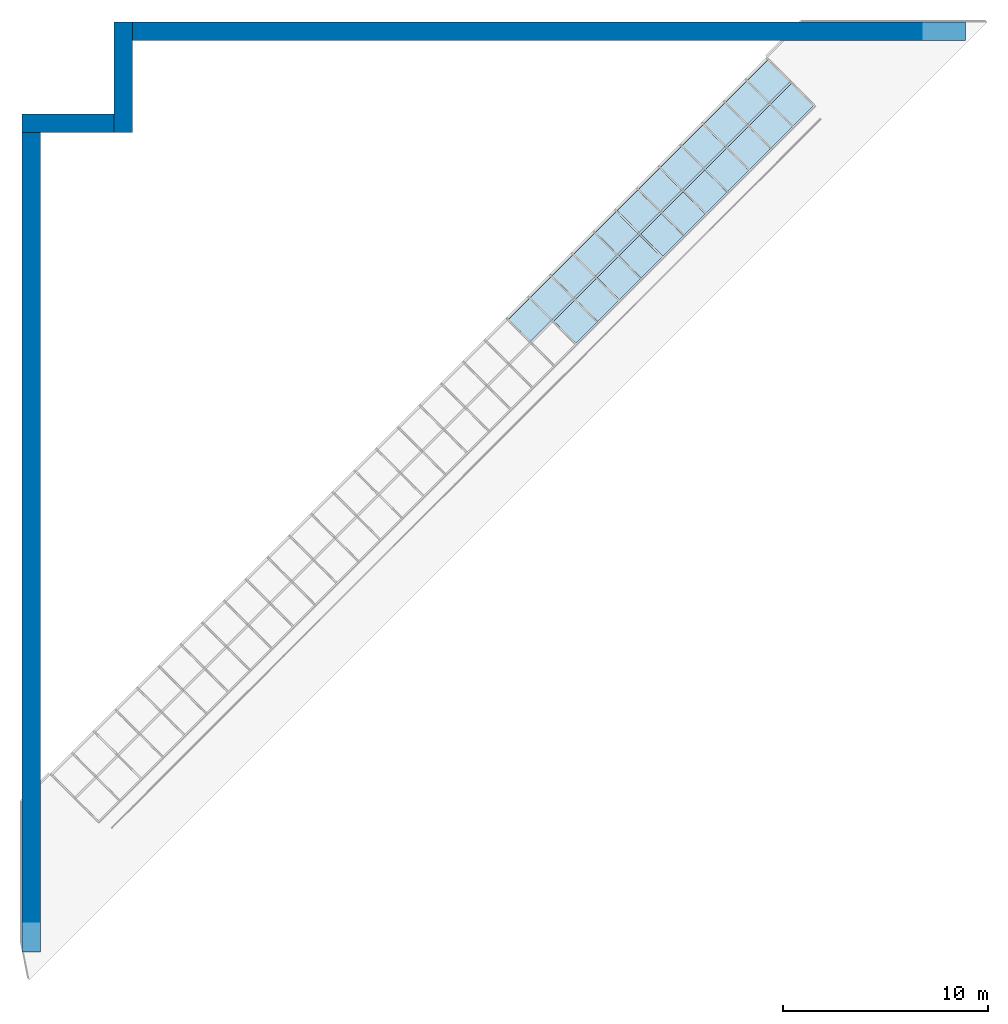
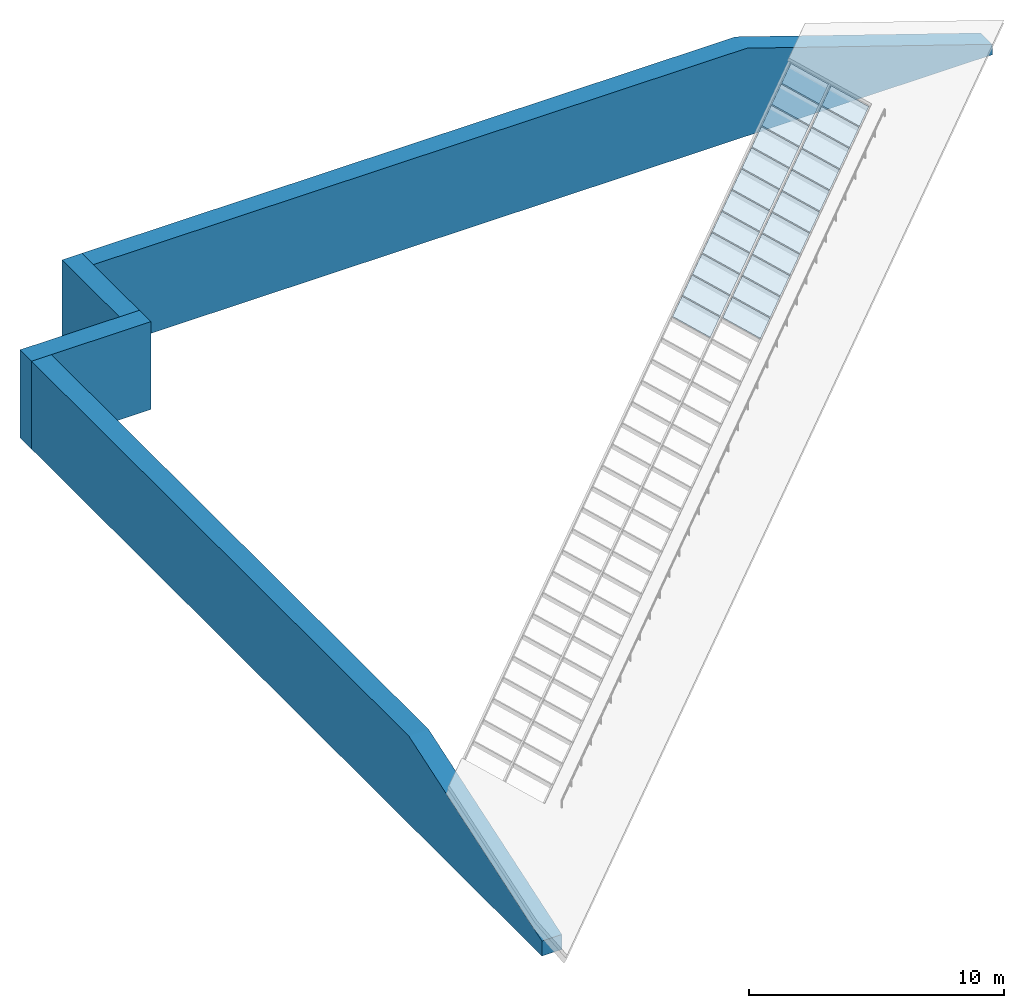
# One storey, part 3 of 4: 23 plates, 4 walls, 1 element without a shape of its own.
"""IFC4 building model written with IfcOpenShell, lengths in metres."""

from ifc_helpers import new_model, si_unit, direction, frame, origin, place, context, subcontext, project, spatial, polyline, outline, extrude, material, layer, layer_set, type_object, element, aggregate, save


model = new_model("IFC4")

# Units and contexts
model_context = context("Model", 3, precision=1e-05, world=origin(), true_north=direction((0.0, 1.0)))
body_context = subcontext(model_context, "Body", "Model", "MODEL_VIEW")
ifc_project = project(units=[si_unit("LENGTHUNIT", "METRE"), si_unit("AREAUNIT", "SQUARE_METRE"), si_unit("VOLUMEUNIT", "CUBIC_METRE"), si_unit("PLANEANGLEUNIT", "RADIAN"), si_unit("MASSUNIT", "GRAM", prefix="KILO")], contexts=[model_context])

# Site, building, storey
site_placement = place(None, origin())
site = spatial("IfcSite", under=ifc_project, at=site_placement, CompositionType="ELEMENT")
building_placement = place(site_placement, origin())
building = spatial("IfcBuilding", under=site, at=building_placement, Name="Hunhe Ridgeline Campus", CompositionType="ELEMENT")
storey_placement = place(building_placement, frame((0.0, 0.0, 319.800048828125)))
storey = spatial("IfcBuildingStorey", under=building, at=storey_placement, Name="L82 Crown", CompositionType="ELEMENT", Elevation=319.800048828125)

# Curtain wall, plates
ifc_material_1 = material(Name="Aluminium 6063", Category="aluminium")
curtain_wall_type = type_object("IfcCurtainWallType", Name="Curtain wall CW-6", PredefinedType="NOTDEFINED", material=ifc_material_1)
curtain_wall_placement = place(storey_placement, origin())
curtain_wall = element("IfcCurtainWall", 1, at=curtain_wall_placement, inside=storey, type_object=curtain_wall_type, Name="Rooflight 5", PredefinedType="NOTDEFINED")
ifc_material_2 = material(Name="Low-e laminated glass", Category="glass")
ifc_layer_1 = layer(ifc_material_2, 0.0400390625)
ifc_layer_set_1 = layer_set([ifc_layer_1], Name="Rooflight glass panel 40 low-e laminated")
plate_type = type_object("IfcPlateType", Name="Rooflight glass panel 40 low-e laminated", PredefinedType="CURTAIN_PANEL", material=ifc_layer_set_1)
plate_1_placement = place(storey_placement, frame((38.640625, 94.903564453125, 2.061767578125), z_axis=(0.301548655301, -0.301474033015, 0.904534032474), x_axis=(-0.639602149067, 0.639602149067, 0.426401432711)))
plate_1 = element("IfcPlate", 2, at=plate_1_placement, type_object=plate_type, Name="Rooflight panel 1.1", PredefinedType="CURTAIN_PANEL", context=body_context, shape_type="SweptSolid", body=[
    extrude(outline(polyline([(0.0, 0.0), (1.6936340109323371, -1.1218781979793757e-16), (1.6934778580639125, 1.3950512467586067), (-0.00015615286842451948, 1.395051246758607), (0.0, 0.0)])), origin(), (0.0, 0.0, -1.0), 0.0400390625),
])
plate_2_placement = place(storey_placement, frame((37.604736328125, 93.867431640625, 2.061767578125), z_axis=(0.301483547543, -0.301483547543, 0.904552564046), x_axis=(-0.63954317933, 0.639687317978, 0.426362119554)))
plate_2 = element("IfcPlate", 3, at=plate_2_placement, type_object=plate_type, Name="Rooflight panel 1.2", PredefinedType="CURTAIN_PANEL", context=body_context, shape_type="SweptSolid", body=[
    extrude(outline(polyline([(0.0, 0.0), (1.6937901741978365, -3.077778917143226e-17), (1.6936444168056752, 1.4300958361632525), (-0.00014572220206188202, 1.4297505691820445), (0.0, 0.0)])), origin(), (0.0, 0.0, -1.0), 0.0400390625),
])
plate_3_placement = place(storey_placement, frame((36.544189453125, 92.806884765625, 2.061767578125), z_axis=(0.301511344578, -0.301511344578, 0.904534033733), x_axis=(-0.639602149067, 0.639602149067, 0.426401432711)))
plate_3 = element("IfcPlate", 4, at=plate_3_placement, type_object=plate_type, Name="Rooflight panel 1.3", PredefinedType="CURTAIN_PANEL", context=body_context, shape_type="SweptSolid", body=[
    extrude(outline(polyline([(0.0, 0.0), (1.6936340109323371, 0.0), (1.693634010932337, 1.4300958435911524), (0.0, 1.4300958435911524), (0.0, 0.0)])), origin(), (0.0, 0.0, -1.0), 0.0400390625),
])
plate_4_placement = place(storey_placement, frame((35.4833984375, 91.746337890625, 2.061767578125), z_axis=(0.301547745403, -0.301474942954, 0.904534032535), x_axis=(-0.639602149067, 0.639602149067, 0.426401432711)))
plate_4 = element("IfcPlate", 5, at=plate_4_placement, type_object=plate_type, Name="Rooflight panel 1.4", PredefinedType="CURTAIN_PANEL", context=body_context, shape_type="SweptSolid", body=[
    extrude(outline(polyline([(0.0, 0.0), (1.6936340109323371, 3.6469850576981155e-17), (1.6934778580639125, 1.4299232119943703), (-0.00015615286842451948, 1.4299232119943701), (0.0, 0.0)])), origin(), (0.0, 0.0, -1.0), 0.0400390625),
])
plate_5_placement = place(storey_placement, frame((34.4228515625, 90.685546875, 2.061767578125), z_axis=(0.301511344578, -0.301511344578, 0.904534033733), x_axis=(-0.639602149067, 0.639602149067, 0.426401432711)))
plate_5 = element("IfcPlate", 6, at=plate_5_placement, type_object=plate_type, Name="Rooflight panel 1.5", PredefinedType="CURTAIN_PANEL", context=body_context, shape_type="SweptSolid", body=[
    extrude(outline(polyline([(0.0, 0.0), (1.6936340109323371, 0.0), (1.693634010932337, 1.4300958435911524), (0.0, 1.4300958435911524), (0.0, 0.0)])), origin(), (0.0, 0.0, -1.0), 0.0400390625),
])
plate_6_placement = place(storey_placement, frame((33.362060546875, 89.625, 2.061767578125), z_axis=(0.301547745403, -0.301474942954, 0.904534032535), x_axis=(-0.639602149067, 0.639602149067, 0.426401432711)))
plate_6 = element("IfcPlate", 7, at=plate_6_placement, type_object=plate_type, Name="Rooflight panel 1.6", PredefinedType="CURTAIN_PANEL", context=body_context, shape_type="SweptSolid", body=[
    extrude(outline(polyline([(0.0, 0.0), (1.6936340109323371, 3.6469850576981155e-17), (1.6934778580639125, 1.4299232119943703), (-0.00015615286842451948, 1.4299232119943701), (0.0, 0.0)])), origin(), (0.0, 0.0, -1.0), 0.0400390625),
])
plate_7_placement = place(storey_placement, frame((32.301513671875, 88.564208984375, 2.061767578125), z_axis=(0.301479245877, -0.301515643227, 0.90454329979), x_axis=(-0.639608700975, 0.639608701766, 0.426381775248)))
plate_7 = element("IfcPlate", 8, at=plate_7_placement, type_object=plate_type, Name="Rooflight panel 1.7", PredefinedType="CURTAIN_PANEL", context=body_context, shape_type="SweptSolid", body=[
    extrude(outline(polyline([(0.0, 0.0), (1.6936340105324015, -2.110128478199913e-17), (1.6937901642007342, 1.4299232115205895), (-7.998715023660452e-10, 1.4300958431175164), (0.0, 0.0)])), origin(), (0.0, 0.0, -1.0), 0.0400390625),
])
plate_8_placement = place(storey_placement, frame((31.240966796875, 87.503662109375, 2.061767578125), z_axis=(0.301515643227, -0.301479245877, 0.90454329979), x_axis=(-0.639680766185, 0.639536628329, 0.426381775406)))
plate_8 = element("IfcPlate", 9, at=plate_8_placement, type_object=plate_type, Name="Rooflight panel 1.8", PredefinedType="CURTAIN_PANEL", context=body_context, shape_type="SweptSolid", body=[
    extrude(outline(polyline([(0.0, 0.0), (1.6937901737979375, 9.269928574751063e-17), (1.6937797583282785, 1.4299232200089778), (0.0001457565923979054, 1.430095835689698), (0.0, 0.0)])), origin(), (0.0, 0.0, -1.0), 0.0400390625),
])
plate_9_placement = place(storey_placement, frame((30.18017578125, 86.44287109375, 2.061767578125), z_axis=(0.301474942954, -0.301547745403, 0.904534032535), x_axis=(-0.639602149067, 0.639602149067, 0.426401432711)))
plate_9 = element("IfcPlate", 10, at=plate_9_placement, type_object=plate_type, Name="Rooflight panel 1.9", PredefinedType="CURTAIN_PANEL", context=body_context, shape_type="SweptSolid", body=[
    extrude(outline(polyline([(0.0, 0.0), (1.6936340109323371, -3.6469850576981155e-17), (1.6937901638007615, 1.4299232119943701), (0.00015615286842451948, 1.4299232119943701), (0.0, 0.0)])), origin(), (0.0, 0.0, -1.0), 0.0400390625),
])
plate_10_placement = place(storey_placement, frame((29.11962890625, 85.38232421875, 2.061767578125), z_axis=(0.301511344578, -0.301511344578, 0.904534033733), x_axis=(-0.639602149067, 0.639602149067, 0.426401432711)))
plate_10 = element("IfcPlate", 11, at=plate_10_placement, type_object=plate_type, Name="Rooflight panel 1.10", PredefinedType="CURTAIN_PANEL", context=body_context, shape_type="SweptSolid", body=[
    extrude(outline(polyline([(0.0, 0.0), (1.6936340109323371, 0.0), (1.693634010932337, 1.4300958435911524), (0.0, 1.4300958435911524), (0.0, 0.0)])), origin(), (0.0, 0.0, -1.0), 0.0400390625),
])
plate_11_placement = place(storey_placement, frame((28.058837890625, 84.321533203125, 2.061767578125), z_axis=(0.301474942954, -0.301547745403, 0.904534032535), x_axis=(-0.639602149067, 0.639602149067, 0.426401432711)))
plate_11 = element("IfcPlate", 12, at=plate_11_placement, type_object=plate_type, Name="Rooflight panel 1.11", PredefinedType="CURTAIN_PANEL", context=body_context, shape_type="SweptSolid", body=[
    extrude(outline(polyline([(0.0, 0.0), (1.6936340109323371, -3.6469850576981155e-17), (1.6937901638007615, 1.4299232119943701), (0.00015615286842451948, 1.4299232119943701), (0.0, 0.0)])), origin(), (0.0, 0.0, -1.0), 0.0400390625),
])
plate_12_placement = place(storey_placement, frame((37.48681640625, 96.057373046875, 2.8310546875), z_axis=(0.301557412944, -0.301632055868, 0.904478429578), x_axis=(-0.639562831882, 0.639562831882, 0.426519364332)))
plate_12 = element("IfcPlate", 13, at=plate_12_placement, type_object=plate_type, Name="Rooflight panel 2.1", PredefinedType="CURTAIN_PANEL", context=body_context, shape_type="SweptSolid", body=[
    extrude(outline(polyline([(0.0, 0.0), (1.6937381272410124, -6.539771979161002e-17), (1.6938942705105149, 1.395051246759681), (0.00015614326950241786, 1.3950512467596812), (0.0, 0.0)])), origin(), (0.0, 0.0, -1.0), 0.0400390625),
])
plate_13_placement = place(storey_placement, frame((36.450927734375, 95.021484375, 2.8310546875), z_axis=(0.301566933522, -0.301566933522, 0.904496970262), x_axis=(-0.639648002808, 0.639503873019, 0.426480045135)))
plate_13 = element("IfcPlate", 14, at=plate_13_placement, type_object=plate_type, Name="Rooflight panel 2.2", PredefinedType="CURTAIN_PANEL", context=body_context, shape_type="SweptSolid", body=[
    extrude(outline(polyline([(0.0, 0.0), (1.6938942809078354, 2.0796352920987582e-17), (1.6940399941538136, 1.4297505691829575), (0.00014574843391479408, 1.4300958361641656), (0.0, 0.0)])), origin(), (0.0, 0.0, -1.0), 0.0400390625),
])
plate_14_placement = place(storey_placement, frame((35.39013671875, 93.9609375, 2.8310546875), z_axis=(0.301594734826, -0.301594734826, 0.904478430837), x_axis=(-0.639562831882, 0.639562831882, 0.426519364332)))
plate_14 = element("IfcPlate", 15, at=plate_14_placement, type_object=plate_type, Name="Rooflight panel 2.3", PredefinedType="CURTAIN_PANEL", context=body_context, shape_type="SweptSolid", body=[
    extrude(outline(polyline([(0.0, 0.0), (1.6937381272410124, 0.0), (1.6937381272410126, 1.4300958435911522), (0.0, 1.4300958435911522), (0.0, 0.0)])), origin(), (0.0, 0.0, -1.0), 0.0400390625),
])
plate_15_placement = place(storey_placement, frame((34.32958984375, 92.900146484375, 2.8310546875), z_axis=(0.301558323134, -0.301631145719, 0.904478429638), x_axis=(-0.639562831882, 0.639562831882, 0.426519364332)))
plate_15 = element("IfcPlate", 16, at=plate_15_placement, type_object=plate_type, Name="Rooflight panel 2.4", PredefinedType="CURTAIN_PANEL", context=body_context, shape_type="SweptSolid", body=[
    extrude(outline(polyline([(0.0, 0.0), (1.6937381272410124, -1.9522415368317114e-16), (1.6938942705105149, 1.4299232119954182), (0.00015614326950241786, 1.4299232119954184), (0.0, 0.0)])), origin(), (0.0, 0.0, -1.0), 0.0400390625),
])
plate_16_placement = place(storey_placement, frame((33.268798828125, 91.839599609375, 2.8310546875), z_axis=(0.301594734826, -0.301594734826, 0.904478430837), x_axis=(-0.639562831882, 0.639562831882, 0.426519364332)))
plate_16 = element("IfcPlate", 17, at=plate_16_placement, type_object=plate_type, Name="Rooflight panel 2.5", PredefinedType="CURTAIN_PANEL", context=body_context, shape_type="SweptSolid", body=[
    extrude(outline(polyline([(0.0, 0.0), (1.6937381272410124, 0.0), (1.6937381272410126, 1.4300958435911522), (0.0, 1.4300958435911522), (0.0, 0.0)])), origin(), (0.0, 0.0, -1.0), 0.0400390625),
])
plate_17_placement = place(storey_placement, frame((32.208251953125, 90.77880859375, 2.8310546875), z_axis=(0.301558323134, -0.301631145719, 0.904478429638), x_axis=(-0.639562831882, 0.639562831882, 0.426519364332)))
plate_17 = element("IfcPlate", 18, at=plate_17_placement, type_object=plate_type, Name="Rooflight panel 2.6", PredefinedType="CURTAIN_PANEL", context=body_context, shape_type="SweptSolid", body=[
    extrude(outline(polyline([(0.0, 0.0), (1.6937381272410124, -1.9522415368317114e-16), (1.6938942705105149, 1.4299232119954182), (0.00015614326950241786, 1.4299232119954184), (0.0, 0.0)])), origin(), (0.0, 0.0, -1.0), 0.0400390625),
])
plate_18_placement = place(storey_placement, frame((31.1474609375, 89.71826171875, 2.8310546875), z_axis=(0.301599036374, -0.301562628957, 0.90448770145), x_axis=(-0.639569387803, 0.639569387012, 0.426499703849)))
plate_18 = element("IfcPlate", 19, at=plate_18_placement, type_object=plate_type, Name="Rooflight panel 2.7", PredefinedType="CURTAIN_PANEL", context=body_context, shape_type="SweptSolid", body=[
    extrude(outline(polyline([(0.0, 0.0), (1.6937381268408798, -1.7556621304329334e-16), (1.6937381276411447, 1.4300958431172541), (-0.00015614406980413165, 1.4299232115213758), (0.0, 0.0)])), origin(), (0.0, 0.0, -1.0), 0.0400390625),
])
plate_19_placement = place(storey_placement, frame((30.0869140625, 88.657470703125, 2.8310546875), z_axis=(0.301562628957, -0.301599036374, 0.90448770145), x_axis=(-0.639497318796, 0.639641447793, 0.426499704007)))
plate_19 = element("IfcPlate", 20, at=plate_19_placement, type_object=plate_type, Name="Rooflight panel 2.8", PredefinedType="CURTAIN_PANEL", context=body_context, shape_type="SweptSolid", body=[
    extrude(outline(polyline([(0.0, 0.0), (1.69389428050774, -2.6793346187548028e-17), (1.693748532873982, 1.4300958356903488), (1.041482908203939e-05, 1.4299232200087202), (0.0, 0.0)])), origin(), (0.0, 0.0, -1.0), 0.0400390625),
])
plate_20_placement = place(storey_placement, frame((29.026123046875, 87.596923828125, 2.8310546875), z_axis=(0.301631145719, -0.301558323134, 0.904478429638), x_axis=(-0.639562831882, 0.639562831882, 0.426519364332)))
plate_20 = element("IfcPlate", 21, at=plate_20_placement, type_object=plate_type, Name="Rooflight panel 2.9", PredefinedType="CURTAIN_PANEL", context=body_context, shape_type="SweptSolid", body=[
    extrude(outline(polyline([(0.0, 0.0), (1.6937381272410124, 1.9522415368317114e-16), (1.69358198397151, 1.4299232119954186), (-0.00015614326950241786, 1.4299232119954184), (0.0, 0.0)])), origin(), (0.0, 0.0, -1.0), 0.0400390625),
])
plate_21_placement = place(storey_placement, frame((27.965576171875, 86.536376953125, 2.8310546875), z_axis=(0.301594734826, -0.301594734826, 0.904478430837), x_axis=(-0.639562831882, 0.639562831882, 0.426519364332)))
plate_21 = element("IfcPlate", 22, at=plate_21_placement, type_object=plate_type, Name="Rooflight panel 2.10", PredefinedType="CURTAIN_PANEL", context=body_context, shape_type="SweptSolid", body=[
    extrude(outline(polyline([(0.0, 0.0), (1.6937381272410124, 0.0), (1.6937381272410126, 1.4300958435911522), (0.0, 1.4300958435911522), (0.0, 0.0)])), origin(), (0.0, 0.0, -1.0), 0.0400390625),
])
plate_22_placement = place(storey_placement, frame((26.90478515625, 85.4755859375, 2.8310546875), z_axis=(0.301631145719, -0.301558323134, 0.904478429638), x_axis=(-0.639562831882, 0.639562831882, 0.426519364332)))
plate_22 = element("IfcPlate", 23, at=plate_22_placement, type_object=plate_type, Name="Rooflight panel 2.11", PredefinedType="CURTAIN_PANEL", context=body_context, shape_type="SweptSolid", body=[
    extrude(outline(polyline([(0.0, 0.0), (1.6937381272410124, 1.9522415368317114e-16), (1.69358198397151, 1.4299232119954186), (-0.00015614326950241786, 1.4299232119954184), (0.0, 0.0)])), origin(), (0.0, 0.0, -1.0), 0.0400390625),
])
plate_23_placement = place(storey_placement, frame((25.84423828125, 84.4150390625, 2.8310546875), z_axis=(0.301594734826, -0.301594734826, 0.904478430837), x_axis=(-0.639562831882, 0.639562831882, 0.426519364332)))
plate_23 = element("IfcPlate", 24, at=plate_23_placement, type_object=plate_type, Name="Rooflight panel 2.12", PredefinedType="CURTAIN_PANEL", context=body_context, shape_type="SweptSolid", body=[
    extrude(outline(polyline([(0.0, 0.0), (1.6937381272410124, 0.0), (1.6937381272410126, 1.4300958435911522), (0.0, 1.4300958435911522), (0.0, 0.0)])), origin(), (0.0, 0.0, -1.0), 0.0400390625),
])
aggregate(curtain_wall, [plate_1, plate_2, plate_3, plate_4, plate_5, plate_6, plate_7, plate_8, plate_9, plate_10, plate_11, plate_12, plate_13, plate_14, plate_15, plate_16, plate_17, plate_18, plate_19, plate_20, plate_21, plate_22, plate_23])

# Walls
ifc_material_3 = material(Name="Concrete C50", Category="concrete")
ifc_layer_2 = layer(ifc_material_3, 0.89990234375)
ifc_layer_set_2 = layer_set([ifc_layer_2], Name="Spine wall 900 Concrete C50")
wall_type = type_object("IfcWallType", Name="Spine wall 900 Concrete C50", PredefinedType="SHEAR", material=ifc_layer_set_2)
wall_1_placement = place(storey_placement, frame((0.449951171875, 94.5, 0.0), z_axis=(0.0, 0.0, 1.0), x_axis=(0.0, -1.0, 0.0)))
element("IfcWall", 25, at=wall_1_placement, inside=storey, type_object=wall_type, Name="Spine wall SW4-1 L82 Crown", PredefinedType="SHEAR", context=body_context, shape_type="SweptSolid", body=[
    extrude(outline(polyline([(0.0, 0.0), (40.90576171875, 0.0), (40.90576171875, 0.72216796875), (30.47314453125, 4.199951171875), (0.0, 4.199951171875), (0.0, 0.0)])), frame((0.0, 0.449951171875, 0.0), z_axis=(0.0, -1.0, 0.0), x_axis=(1.0, 0.0, 0.0)), (0.0, 0.0, 1.0), 0.89990234375),
])
wall_2_placement = place(storey_placement, frame((46.072509765625, 98.550048828125, 0.0), z_axis=(0.0, 0.0, 1.0), x_axis=(-1.0, 0.0, 0.0)))
element("IfcWall", 26, at=wall_2_placement, inside=storey, type_object=wall_type, Name="Spine wall SW4-2 L82 Crown", PredefinedType="SHEAR", context=body_context, shape_type="SweptSolid", body=[
    extrude(outline(polyline([(0.0, 0.0), (41.572509765625, 0.0), (41.572509765625, 4.199951171875), (11.099365234375, 4.199951171875), (0.0, 0.5), (0.0, 0.0)])), frame((0.0, 0.449951171875, 0.0), z_axis=(0.0, -1.0, 0.0), x_axis=(1.0, 0.0, 0.0)), (0.0, 0.0, 1.0), 0.89990234375),
])
for number, where, z_axis, x_axis, name in (
    (27, (4.949951171875, 99.0, 0.0), (0.0, 0.0, 1.0), (0.0, -1.0, 0.0), "Spine wall SW4-3 L82 Crown"),
    (28, (5.39990234375, 94.050048828125, 0.0), (0.0, 0.0, 1.0), (-1.0, 0.0, 0.0), "Spine wall SW4-4 L82 Crown"),
):
    element("IfcWall", number, at=place(storey_placement, frame(where, z_axis=z_axis, x_axis=x_axis)), inside=storey, type_object=wall_type, Name=name, PredefinedType="SHEAR", context=body_context, shape_type="SweptSolid", body=[
        extrude(outline(polyline([(0.0, 0.0), (5.39990234375, 0.0), (5.39990234375, 4.199951171875), (0.0, 4.199951171875), (0.0, 0.0)])), frame((0.0, 0.449951171875, 0.0), z_axis=(0.0, -1.0, 0.0), x_axis=(1.0, 0.0, 0.0)), (0.0, 0.0, 1.0), 0.89990234375),
    ])

save(model, "model.ifc")
